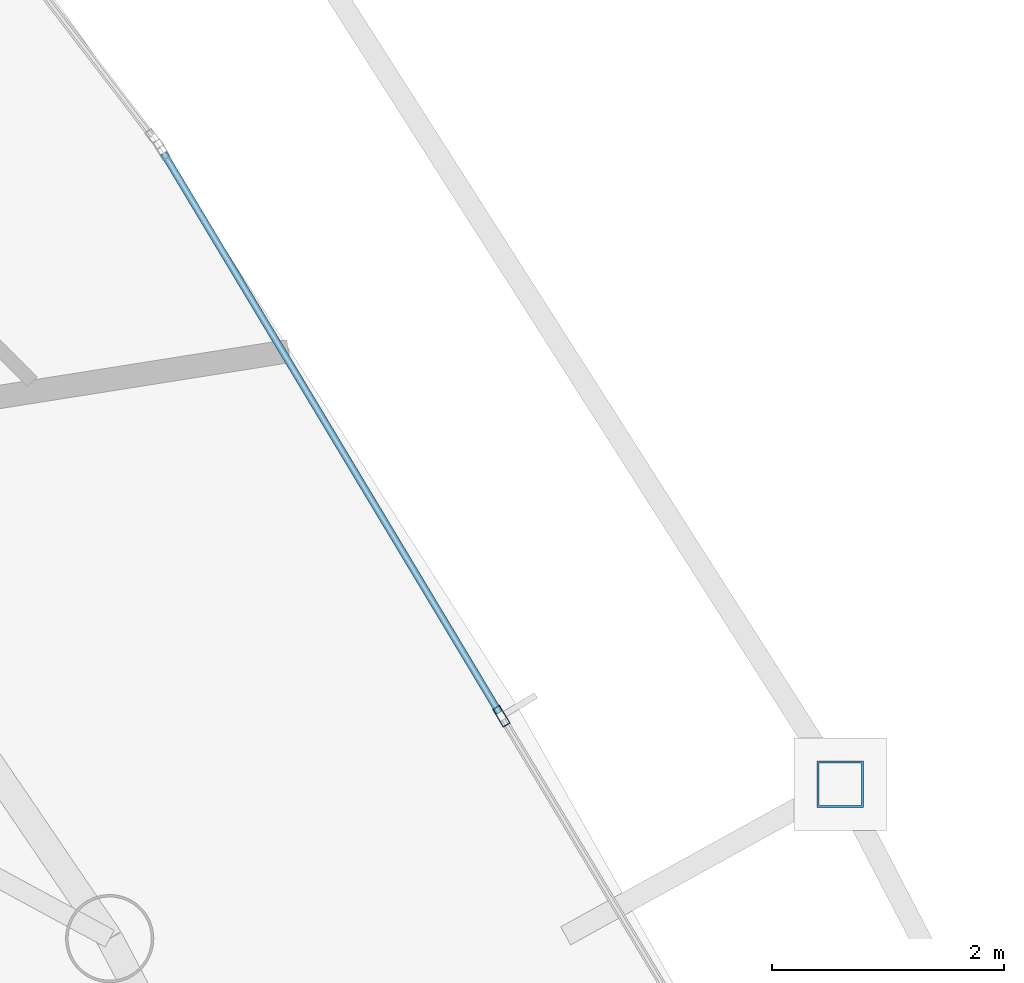
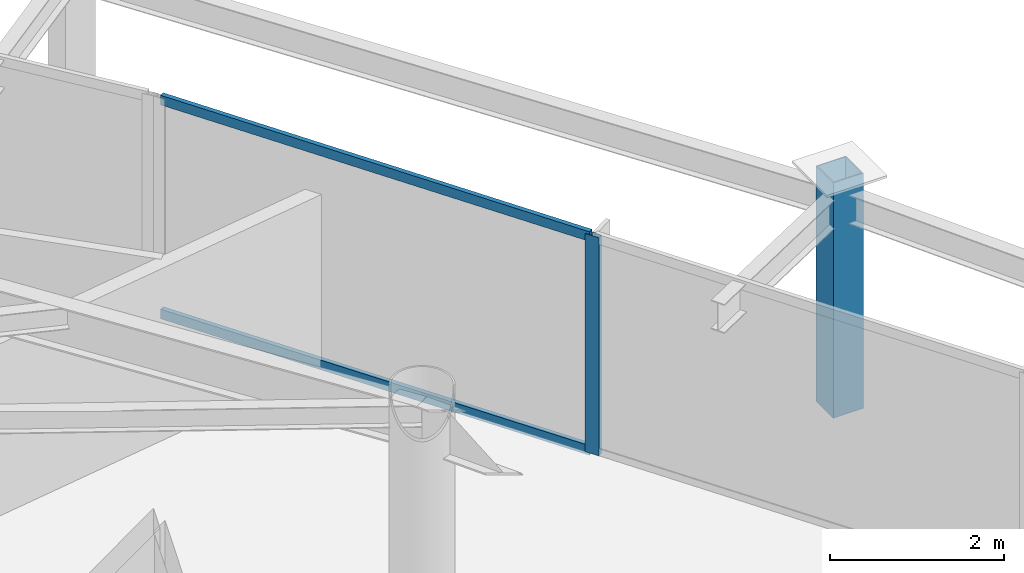
# One storey, part 18 of 33: 4 members, 1 element without a shape of its own.
"""IFC4 building model written with IfcOpenShell, lengths in metres."""

from ifc_helpers import new_model, si_unit, direction, frame, origin, origin_2d, place, context, subcontext, project, spatial, hollow_rectangle, extrude, material, layer, layer_set, material_profile, profile_set, type_object, element, aggregate, save


model = new_model("IFC4")

# Units and contexts
model_context = context("Model", 3, precision=1e-05, world=origin(), true_north=direction((0.0, 1.0)))
body_context = subcontext(model_context, "Body", "Model", "MODEL_VIEW")
ifc_project = project(units=[si_unit("LENGTHUNIT", "METRE"), si_unit("AREAUNIT", "SQUARE_METRE"), si_unit("VOLUMEUNIT", "CUBIC_METRE"), si_unit("PLANEANGLEUNIT", "RADIAN"), si_unit("MASSUNIT", "GRAM", prefix="KILO")], contexts=[model_context])

# Site, building, storey
site_placement = place(None, origin())
site = spatial("IfcSite", under=ifc_project, at=site_placement, CompositionType="ELEMENT")
building_placement = place(site_placement, origin())
building = spatial("IfcBuilding", under=site, at=building_placement, Name="Orvanel Arch Residences", CompositionType="ELEMENT")
storey_placement = place(building_placement, frame((0.0, 0.0, 123.199951171875)))
storey = spatial("IfcBuildingStorey", under=building, at=storey_placement, Name="L34", CompositionType="ELEMENT", Elevation=123.199951171875)

# Curtain wall, member
ifc_material_1 = material(Name="Bronze-anodised aluminium AA6063-T6", Category="aluminium")
ifc_layer = layer(ifc_material_1, 0.179931640625)
ifc_layer_set = layer_set([ifc_layer], Name="Bronze-anodised aluminium AA6063-T6")
curtain_wall_type = type_object("IfcCurtainWallType", Name="CW3-MID-SYS", PredefinedType="NOTDEFINED", material=ifc_layer_set)
curtain_wall_placement = place(storey_placement, origin())
curtain_wall = element("IfcCurtainWall", 1, at=curtain_wall_placement, inside=storey, type_object=curtain_wall_type, Name="L34 CW3-MID-SYS Unitised Curtain Wall", PredefinedType="NOTDEFINED")
ifc_material_profile_1 = material_profile(ifc_material_1, hollow_rectangle(XDim=0.070068359375, YDim=0.179931640625, WallThickness=0.00439453125, at=origin_2d()), Name="ALU180x70x4.5")
ifc_profile_set_1 = profile_set([ifc_material_profile_1], Name="Bronze-anodised aluminium AA6063-T6")
member_type_1 = type_object("IfcMemberType", Name="MUL-180x70", PredefinedType="MULLION", material=ifc_profile_set_1)
member_1_placement = place(storey_placement, frame((48.8134765625, 29.56201171875, 0.0), z_axis=(0.0, 0.0, 1.0), x_axis=(-0.857515978834, -0.514457331608, 0.0)))
member_1 = element("IfcMember", 2, at=member_1_placement, type_object=member_type_1, Name="CW-S3 mullion 2", PredefinedType="MULLION", context=body_context, shape_type="SweptSolid", body=[
    extrude(hollow_rectangle(XDim=0.070068359375, YDim=0.179931640625, WallThickness=0.00439453125, at=origin_2d()), origin(), (0.0, 0.0, 1.0), 3.06005859375),
])

# Member
ifc_material_2 = material(Name="Structural steel AS/NZS 1163 C450L0 (Grade 450)", Category="steel")
ifc_material_profile_2 = material_profile(ifc_material_2, hollow_rectangle(XDim=0.39990234375, YDim=0.39990234375, WallThickness=0.01611328125, at=origin_2d()), Name="SHS400x400x16")
ifc_profile_set_2 = profile_set([ifc_material_profile_2], Name="Structural steel AS/NZS 1163 C450L0 (Grade 450)")
member_type_2 = type_object("IfcMemberType", Name="ST-400SHS-EXT", PredefinedType="STRUT", material=ifc_profile_set_2)
member_2_placement = place(storey_placement, frame((51.739990234375, 28.972900390625, 0.0), z_axis=(0.0, 0.0, 1.0), x_axis=(1.0, 0.0, 0.0)))
element("IfcMember", 3, at=member_2_placement, inside=storey, type_object=member_type_2, Name="L34 Outer Perimeter Frame Post 10", PredefinedType="STRUT", context=body_context, shape_type="SweptSolid", body=[
    extrude(hollow_rectangle(XDim=0.39990234375, YDim=0.39990234375, WallThickness=0.01611328125, at=origin_2d()), origin(), (0.0, 0.0, 1.0), 3.300048828125),
])

ifc_material_profile_3 = material_profile(ifc_material_1, hollow_rectangle(XDim=0.06005859375, YDim=0.135009765625, WallThickness=0.00390625, at=origin_2d()), Name="ALU135x60x4")
ifc_profile_set_3 = profile_set([ifc_material_profile_3], Name="Bronze-anodised aluminium AA6063-T6")
member_type_3 = type_object("IfcMemberType", Name="TRN-135x60", PredefinedType="USERDEFINED", material=ifc_profile_set_3)
member_3_placement = place(storey_placement, frame((48.79541015625, 29.592041015625, 0.030029296875), z_axis=(-0.514444792144, 0.857523501623, 0.0), x_axis=(-0.857523501623, -0.514444792144, 0.0)))
member_3 = element("IfcMember", 4, at=member_3_placement, type_object=member_type_3, Name="CW-S3 transom 2.1", ObjectType="TRANSOM", PredefinedType="USERDEFINED", context=body_context, shape_type="SweptSolid", body=[
    extrude(hollow_rectangle(XDim=0.06005859375, YDim=0.135009765625, WallThickness=0.00390625, at=origin_2d()), origin(), (0.0, 0.0, 1.0), 5.635986328125),
])

member_4_placement = place(storey_placement, frame((48.79541015625, 29.592041015625, 3.030029296875), z_axis=(-0.514444792144, 0.857523501623, 0.0), x_axis=(-0.857523501623, -0.514444792144, 0.0)))
member_4 = element("IfcMember", 5, at=member_4_placement, type_object=member_type_3, Name="CW-S3 transom 2.2", ObjectType="TRANSOM", PredefinedType="USERDEFINED", context=body_context, shape_type="SweptSolid", body=[
    extrude(hollow_rectangle(XDim=0.06005859375, YDim=0.135009765625, WallThickness=0.00390625, at=origin_2d()), origin(), (0.0, 0.0, 1.0), 5.635986328125),
])

aggregate(curtain_wall, [member_1, member_3, member_4])

save(model, "model.ifc")
